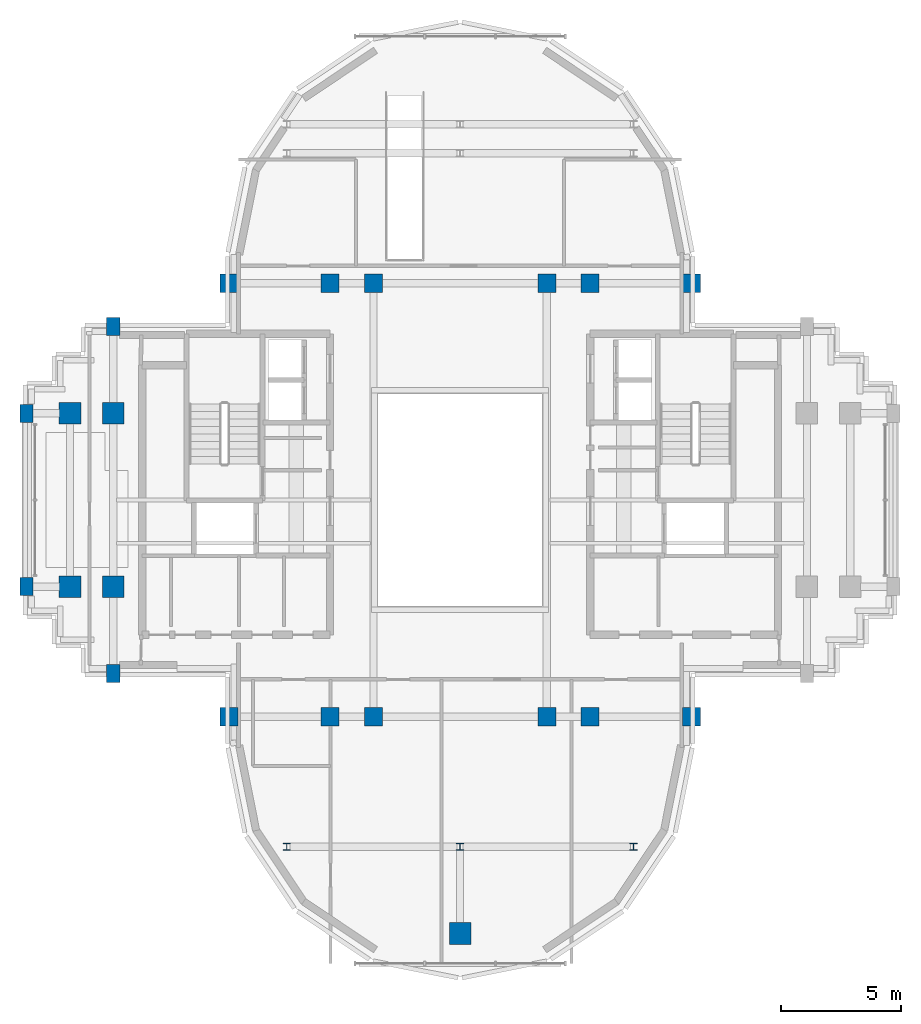
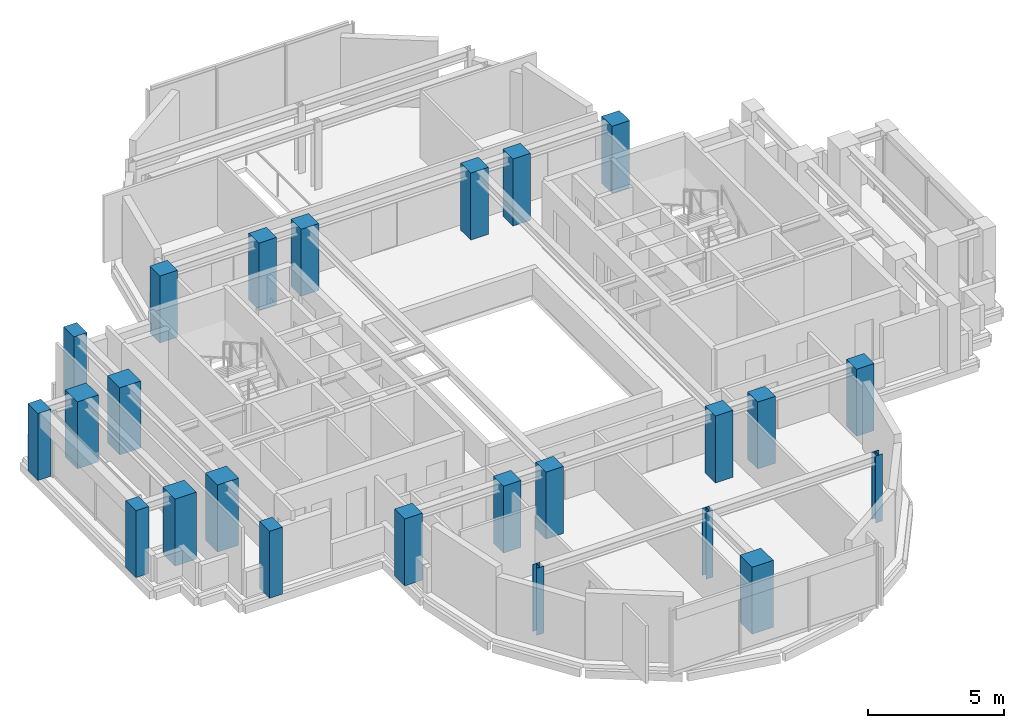
# One storey, part 1 of 12: 24 columns.
"""IFC4 building model written with IfcOpenShell, lengths in metres."""

from ifc_helpers import new_model, si_unit, direction, frame, origin, origin_2d, place, context, subcontext, project, spatial, rectangle, i_section, extrude, source, transform, mapped, material, material_profile, profile_set, type_object, element, save


model = new_model("IFC4")

# Units and contexts
model_context = context("Model", 3, precision=1e-05, world=origin(), true_north=direction((0.0, 1.0)))
body_context = subcontext(model_context, "Body", "Model", "MODEL_VIEW")
ifc_project = project(units=[si_unit("LENGTHUNIT", "METRE"), si_unit("AREAUNIT", "SQUARE_METRE"), si_unit("VOLUMEUNIT", "CUBIC_METRE"), si_unit("PLANEANGLEUNIT", "RADIAN"), si_unit("MASSUNIT", "GRAM", prefix="KILO")], contexts=[model_context])

# Site, building, storey
site_placement = place(None, origin())
site = spatial("IfcSite", under=ifc_project, at=site_placement, CompositionType="ELEMENT")
building_placement = place(site_placement, origin())
building = spatial("IfcBuilding", under=site, at=building_placement, Name="Keilestroom Media Tower", CompositionType="ELEMENT")
storey_placement = place(building_placement, frame((0.0, 0.0, 223.60009765625)))
storey = spatial("IfcBuildingStorey", under=building, at=storey_placement, Name="L61", CompositionType="ELEMENT", Elevation=223.60009765625)

# Columns
ifc_material_1 = material(Name="Precast concrete C40/50", Category="concrete")
ifc_material_profile_1 = material_profile(ifc_material_1, rectangle(XDim=0.550048828125, YDim=0.75, at=origin_2d()), Name="PC 750x550")
ifc_profile_set_1 = profile_set([ifc_material_profile_1], Name="Precast concrete C40/50")
column_type_1 = type_object("IfcColumnType", Name="Structural-Column-PC-750x550", PredefinedType="COLUMN", material=ifc_profile_set_1)
shared_shape_1 = source(origin(), body_context, "Body", "SweptSolid", [
    extrude(rectangle(XDim=0.550048828125, YDim=0.75, at=origin_2d()), origin(), (0.0, 0.0, 1.0), 3.010009765625),
])
for number, where, z_axis, x_axis, name in (
    (1, (-18.0, -3.60009765625, 0.0), (0.0, 0.0, 1.0), (1.0, 0.0, 0.0), "L61 Column PC-3 (-18.0,-3.6)"),
    (2, (-18.0, 3.60009765625, 0.0), (0.0, 0.0, 1.0), (1.0, 0.0, 0.0), "L61 Column PC-3 (-18.0,+3.6)"),
    (3, (-14.39990234375, -7.199951171875, 0.0), (0.0, 0.0, 1.0), (1.0, 0.0, 0.0), "L61 Column PC-3 (-14.4,-7.2)"),
    (4, (-14.39990234375, 7.199951171875, 0.0), (0.0, 0.0, 1.0), (1.0, 0.0, 0.0), "L61 Column PC-3 (-14.4,+7.2)"),
):
    element("IfcColumn", number, at=place(storey_placement, frame(where, z_axis=z_axis, x_axis=x_axis)), inside=storey, type_object=column_type_1, Name=name, PredefinedType="COLUMN", context=body_context, shape_type="MappedRepresentation", body=[
        mapped(shared_shape_1, transform((0.0, 0.0, 0.0), x_axis=(1.0, 0.0, 0.0), y_axis=(0.0, 1.0, 0.0), z_axis=(0.0, 0.0, 1.0), scale=1.0)),
    ])
ifc_material_2 = material(Name="Concrete C55/67", Category="concrete")
ifc_material_profile_2 = material_profile(ifc_material_2, rectangle(XDim=0.89990234375, YDim=0.89990234375, at=origin_2d()), Name="RC 900x900")
ifc_profile_set_2 = profile_set([ifc_material_profile_2], Name="Concrete C55/67")
column_type_2 = type_object("IfcColumnType", Name="Structural-Column-RC-900x900", PredefinedType="COLUMN", material=ifc_profile_set_2)
shared_shape_2 = source(origin(), body_context, "Body", "SweptSolid", [
    extrude(rectangle(XDim=0.89990234375, YDim=0.89990234375, at=origin_2d()), origin(), (0.0, 0.0, 1.0), 3.010009765625),
])
for number, where, z_axis, x_axis, name in (
    (5, (-16.199951171875, -3.60009765625, 0.0), (0.0, 0.0, 1.0), (1.0, 0.0, 0.0), "L61 Column MC-4 (-16.2,-3.6)"),
    (6, (-16.199951171875, 3.60009765625, 0.0), (0.0, 0.0, 1.0), (1.0, 0.0, 0.0), "L61 Column MC-4 (-16.2,+3.6)"),
    (7, (-14.39990234375, -3.60009765625, 0.0), (0.0, 0.0, 1.0), (1.0, 0.0, 0.0), "L61 Column MC-4 (-14.4,-3.6)"),
    (8, (-14.39990234375, 3.60009765625, 0.0), (0.0, 0.0, 1.0), (1.0, 0.0, 0.0), "L61 Column MC-4 (-14.4,+3.6)"),
    (9, (0.0, -18.0, 0.0), (0.0, 0.0, 1.0), (1.0, 0.0, 0.0), "L61 Column MC-4 (+0.0,-18.0)"),
):
    element("IfcColumn", number, at=place(storey_placement, frame(where, z_axis=z_axis, x_axis=x_axis)), inside=storey, type_object=column_type_2, Name=name, PredefinedType="COLUMN", context=body_context, shape_type="MappedRepresentation", body=[
        mapped(shared_shape_2, transform((0.0, 0.0, 0.0), x_axis=(1.0, 0.0, 0.0), y_axis=(0.0, 1.0, 0.0), z_axis=(0.0, 0.0, 1.0), scale=1.0)),
    ])
ifc_material_3 = material(Name="Concrete C50/60", Category="concrete")
ifc_material_profile_3 = material_profile(ifc_material_3, rectangle(XDim=0.75, YDim=0.75, at=origin_2d()), Name="RC 750x750")
ifc_profile_set_3 = profile_set([ifc_material_profile_3], Name="Concrete C50/60")
column_type_3 = type_object("IfcColumnType", Name="Structural-Column-RC-750x750", PredefinedType="COLUMN", material=ifc_profile_set_3)
shared_shape_3 = source(origin(), body_context, "Body", "SweptSolid", [
    extrude(rectangle(XDim=0.75, YDim=0.75, at=origin_2d()), origin(), (0.0, 0.0, 1.0), 3.010009765625),
])
for number, where, z_axis, x_axis, name in (
    (10, (-9.60009765625, -9.0, 0.0), (0.0, 0.0, 1.0), (1.0, 0.0, 0.0), "L61 Column MC-5 (-9.6,-9.0)"),
    (11, (-9.60009765625, 9.0, 0.0), (0.0, 0.0, 1.0), (1.0, 0.0, 0.0), "L61 Column MC-5 (-9.6,+9.0)"),
    (12, (-5.39990234375, -9.0, 0.0), (0.0, 0.0, 1.0), (1.0, 0.0, 0.0), "L61 Column MC-5 (-5.4,-9.0)"),
    (13, (-5.39990234375, 9.0, 0.0), (0.0, 0.0, 1.0), (1.0, 0.0, 0.0), "L61 Column MC-5 (-5.4,+9.0)"),
    (14, (-3.60009765625, -9.0, 0.0), (0.0, 0.0, 1.0), (1.0, 0.0, 0.0), "L61 Column MC-5 (-3.6,-9.0)"),
    (15, (-3.60009765625, 9.0, 0.0), (0.0, 0.0, 1.0), (1.0, 0.0, 0.0), "L61 Column MC-5 (-3.6,+9.0)"),
    (16, (3.60009765625, -9.0, 0.0), (0.0, 0.0, 1.0), (1.0, 0.0, 0.0), "L61 Column MC-5 (+3.6,-9.0)"),
    (17, (3.60009765625, 9.0, 0.0), (0.0, 0.0, 1.0), (1.0, 0.0, 0.0), "L61 Column MC-5 (+3.6,+9.0)"),
    (18, (5.39990234375, -9.0, 0.0), (0.0, 0.0, 1.0), (1.0, 0.0, 0.0), "L61 Column MC-5 (+5.4,-9.0)"),
    (19, (5.39990234375, 9.0, 0.0), (0.0, 0.0, 1.0), (1.0, 0.0, 0.0), "L61 Column MC-5 (+5.4,+9.0)"),
    (20, (9.60009765625, -9.0, 0.0), (0.0, 0.0, 1.0), (1.0, 0.0, 0.0), "L61 Column MC-5 (+9.6,-9.0)"),
    (21, (9.60009765625, 9.0, 0.0), (0.0, 0.0, 1.0), (1.0, 0.0, 0.0), "L61 Column MC-5 (+9.6,+9.0)"),
):
    element("IfcColumn", number, at=place(storey_placement, frame(where, z_axis=z_axis, x_axis=x_axis)), inside=storey, type_object=column_type_3, Name=name, PredefinedType="COLUMN", context=body_context, shape_type="MappedRepresentation", body=[
        mapped(shared_shape_3, transform((0.0, 0.0, 0.0), x_axis=(1.0, 0.0, 0.0), y_axis=(0.0, 1.0, 0.0), z_axis=(0.0, 0.0, 1.0), scale=1.0)),
    ])
ifc_material_4 = material(Name="Steel S355", Category="steel")
ifc_material_profile_4 = material_profile(ifc_material_4, i_section(OverallWidth=0.300048828125, OverallDepth=0.300048828125, WebThickness=0.010986328125, FlangeThickness=0.01904296875, at=origin_2d()), Name="HEB 300")
ifc_profile_set_4 = profile_set([ifc_material_profile_4], Name="Steel S355")
column_type_4 = type_object("IfcColumnType", Name="Structural-Column-HEB-300", PredefinedType="COLUMN", material=ifc_profile_set_4)
shared_shape_4 = source(origin(), body_context, "Body", "SweptSolid", [
    extrude(i_section(OverallWidth=0.300048828125, OverallDepth=0.300048828125, WebThickness=0.010986328125, FlangeThickness=0.01904296875, at=origin_2d()), origin(), (0.0, 0.0, 1.0), 3.010009765625),
])
for number, where, z_axis, x_axis, name in (
    (22, (-7.199951171875, -14.39990234375, 0.0), (0.0, 0.0, 1.0), (1.0, 0.0, 0.0), "L61 Column SC-5 (-7.2,-14.4)"),
    (23, (0.0, -14.39990234375, 0.0), (0.0, 0.0, 1.0), (1.0, 0.0, 0.0), "L61 Column SC-5 (+0.0,-14.4)"),
    (24, (7.199951171875, -14.39990234375, 0.0), (0.0, 0.0, 1.0), (1.0, 0.0, 0.0), "L61 Column SC-5 (+7.2,-14.4)"),
):
    element("IfcColumn", number, at=place(storey_placement, frame(where, z_axis=z_axis, x_axis=x_axis)), inside=storey, type_object=column_type_4, Name=name, PredefinedType="COLUMN", context=body_context, shape_type="MappedRepresentation", body=[
        mapped(shared_shape_4, transform((0.0, 0.0, 0.0), x_axis=(1.0, 0.0, 0.0), y_axis=(0.0, 1.0, 0.0), z_axis=(0.0, 0.0, 1.0), scale=1.0)),
    ])

save(model, "model.ifc")
